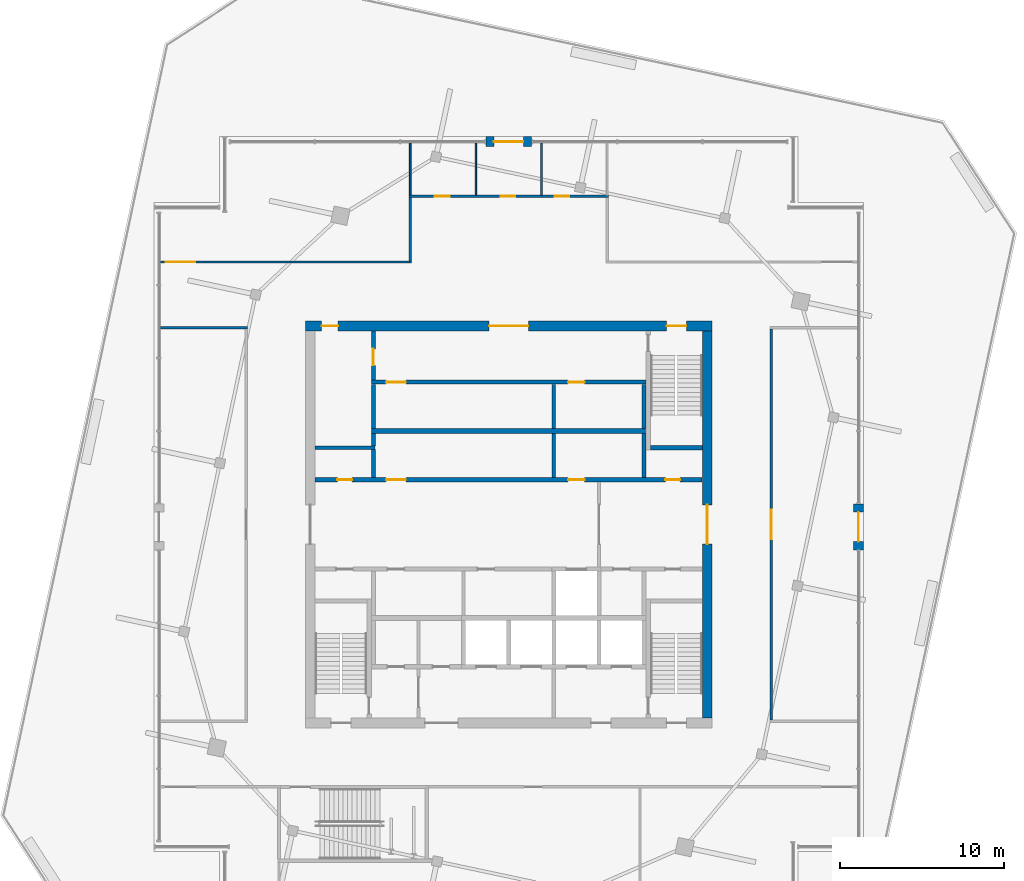
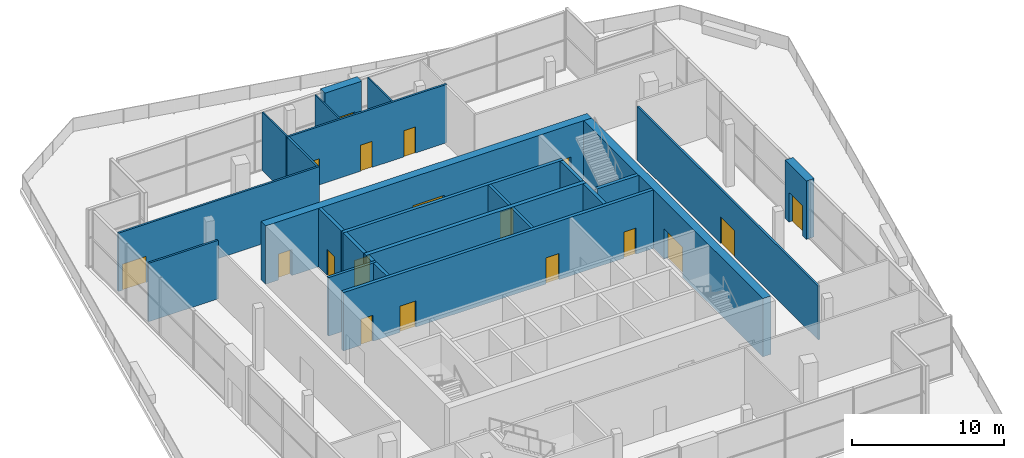
# One storey, part 9 of 14: 25 walls, 18 doors, 18 openings.
"""IFC4 building model written with IfcOpenShell, lengths in metres."""

from ifc_helpers import new_model, si_unit, direction, frame, frame_2d, origin, place, context, subcontext, project, spatial, rectangle, extrude, material, layer, layer_set, type_object, element, fill, save


model = new_model("IFC4")

# Units and contexts
model_context = context("Model", 3, precision=1e-05, world=origin(), true_north=direction((0.0, 1.0)))
body_context = subcontext(model_context, "Body", "Model", "MODEL_VIEW")
ifc_project = project(units=[si_unit("LENGTHUNIT", "METRE"), si_unit("AREAUNIT", "SQUARE_METRE"), si_unit("VOLUMEUNIT", "CUBIC_METRE"), si_unit("PLANEANGLEUNIT", "RADIAN"), si_unit("MASSUNIT", "GRAM", prefix="KILO")], contexts=[model_context])

# Site, building, storey
site_placement = place(None, origin())
site = spatial("IfcSite", under=ifc_project, at=site_placement, CompositionType="ELEMENT")
building_placement = place(site_placement, origin())
building = spatial("IfcBuilding", under=site, at=building_placement, Name="Dilmun Exchange Tower", CompositionType="ELEMENT")
storey_placement = place(building_placement, frame((0.0, 0.0, 368.10009765625)))
storey = spatial("IfcBuildingStorey", under=building, at=storey_placement, Name="Crown L86", CompositionType="ELEMENT", Elevation=368.10009765625)

# Walls
ifc_material_1 = material(Name="Concrete C40/50", Category="concrete")
ifc_layer_1 = layer(ifc_material_1, 0.199951171875)
ifc_layer_set_1 = layer_set([ifc_layer_1], Name="Concrete C40/50")
wall_type_1 = type_object("IfcWallType", Name="Core partition wall 200", PredefinedType="PARTITIONING", material=ifc_layer_set_1)
wall_1_placement = place(storey_placement, frame((2.75, 2.85498046875, 0.0), z_axis=(0.0, 0.0, 1.0), x_axis=(0.0, 1.0, 0.0)))
element("IfcWall", 1, at=wall_1_placement, inside=storey, type_object=wall_type_1, Name="Crown L86 core partition wall 15", PredefinedType="PARTITIONING", context=body_context, shape_type="SweptSolid", body=[
    extrude(rectangle(XDim=2.68994140625, YDim=0.199951171875, at=frame_2d((1.344970703125, 0.0))), origin(), (0.0, 0.0, 1.0), 4.699951171875),
])
wall_2_placement = place(storey_placement, frame((-11.794921875, 4.675048828125, 0.0), z_axis=(0.0, 0.0, 1.0), x_axis=(1.0, 0.0, 0.0)))
element("IfcWall", 2, at=wall_2_placement, inside=storey, type_object=wall_type_1, Name="Crown L86 core partition wall 17", PredefinedType="PARTITIONING", context=body_context, shape_type="SweptSolid", body=[
    extrude(rectangle(XDim=3.64501953125, YDim=0.199951171875, at=frame_2d((1.822509765625, 0.0))), origin(), (0.0, 0.0, 1.0), 4.699951171875),
])
wall_3_placement = place(storey_placement, frame((2.75, 5.85498046875, 0.0), z_axis=(0.0, 0.0, 1.0), x_axis=(0.0, 1.0, 0.0)))
element("IfcWall", 3, at=wall_3_placement, inside=storey, type_object=wall_type_1, Name="Crown L86 core partition wall 21", PredefinedType="PARTITIONING", context=body_context, shape_type="SweptSolid", body=[
    extrude(rectangle(XDim=2.68994140625, YDim=0.199951171875, at=frame_2d((1.344970703125, 0.0))), origin(), (0.0, 0.0, 1.0), 4.699951171875),
])

# Wall, openings, doors
ifc_layer_2 = layer(ifc_material_1, 0.25)
ifc_layer_set_2 = layer_set([ifc_layer_2], Name="Concrete C40/50")
wall_type_2 = type_object("IfcWallType", Name="Core partition wall 250", PredefinedType="PARTITIONING", material=ifc_layer_set_2)
wall_4_placement = place(storey_placement, frame((-11.794921875, 2.72509765625, 0.0), z_axis=(0.0, 0.0, 1.0), x_axis=(1.0, 0.0, 0.0)))
wall_4 = element("IfcWall", 4, at=wall_4_placement, inside=storey, type_object=wall_type_2, Name="Crown L86 core partition wall 13", PredefinedType="PARTITIONING", context=body_context, shape_type="SweptSolid", body=[
    extrude(rectangle(XDim=23.58984375, YDim=0.25, at=frame_2d((11.794921875, 0.0))), origin(), (0.0, 0.0, 1.0), 4.699951171875),
])
opening_1_placement = place(wall_4_placement, frame((21.344970703125, 0.0, 0.0)))
opening_1 = element("IfcOpeningElement", 5, at=opening_1_placement, cuts=wall_4, Name="Opening CD6", PredefinedType="OPENING", context=body_context, shape_type="SweptSolid", body=[
    extrude(rectangle(XDim=0.89990234375, YDim=2.10009765625, at=frame_2d((0.449951171875, 1.050048828125))), frame((0.0, 0.135009765625, 0.0), z_axis=(0.0, -1.0, 0.0), x_axis=(1.0, 0.0, 0.0)), (0.0, 0.0, 1.0), 0.27001953125),
])
opening_2_placement = place(wall_4_placement, frame((1.344970703125, 0.0, 0.0)))
opening_2 = element("IfcOpeningElement", 6, at=opening_2_placement, cuts=wall_4, Name="Opening CD6", PredefinedType="OPENING", context=body_context, shape_type="SweptSolid", body=[
    extrude(rectangle(XDim=0.89990234375, YDim=2.10009765625, at=frame_2d((0.449951171875, 1.050048828125))), frame((0.0, 0.135009765625, 0.0), z_axis=(0.0, -1.0, 0.0), x_axis=(1.0, 0.0, 0.0)), (0.0, 0.0, 1.0), 0.27001953125),
])
opening_3_placement = place(wall_4_placement, frame((4.320068359375, 0.0, 0.0)))
opening_3 = element("IfcOpeningElement", 7, at=opening_3_placement, cuts=wall_4, Name="Opening CD3", PredefinedType="OPENING", context=body_context, shape_type="SweptSolid", body=[
    extrude(rectangle(XDim=1.199951171875, YDim=2.10009765625, at=frame_2d((0.60009765625, 1.050048828125))), frame((0.0, 0.135009765625, 0.0), z_axis=(0.0, -1.0, 0.0), x_axis=(1.0, 0.0, 0.0)), (0.0, 0.0, 1.0), 0.27001953125),
])
opening_4_placement = place(wall_4_placement, frame((15.419921875, 0.0, 0.0)))
opening_4 = element("IfcOpeningElement", 8, at=opening_4_placement, cuts=wall_4, Name="Opening CD4", PredefinedType="OPENING", context=body_context, shape_type="SweptSolid", body=[
    extrude(rectangle(XDim=1.0, YDim=2.10009765625, at=frame_2d((0.5, 1.050048828125))), frame((0.0, 0.135009765625, 0.0), z_axis=(0.0, -1.0, 0.0), x_axis=(1.0, 0.0, 0.0)), (0.0, 0.0, 1.0), 0.27001953125),
])
ifc_material_2 = material(Name="Fire-rated steel door set", Category="steel")
door_type_1 = type_object("IfcDoorType", Name="Core room door 1000x2100", OperationType="SINGLE_SWING_LEFT", PredefinedType="DOOR", material=ifc_material_2)
door_1_placement = place(opening_4_placement, origin())
door_1 = element("IfcDoor", 9, at=door_1_placement, inside=storey, type_object=door_type_1, Name="Crown L86 door Print and mail room", OperationType="SINGLE_SWING_LEFT", OverallHeight=2.10009765625, OverallWidth=1.0, PredefinedType="DOOR", context=body_context, shape_type="SweptSolid", body=[
    extrude(rectangle(XDim=1.0, YDim=2.10009765625, at=frame_2d((0.5, 1.050048828125))), frame((0.0, 0.02490234375, 0.0), z_axis=(0.0, -1.0, 0.0), x_axis=(1.0, 0.0, 0.0)), (0.0, 0.0, 1.0), 0.050048828125),
])
fill(opening_4, door_1)
door_type_2 = type_object("IfcDoorType", Name="Core room door 900x2100", OperationType="SINGLE_SWING_LEFT", PredefinedType="DOOR", material=ifc_material_2)
door_2_placement = place(opening_1_placement, origin())
door_2 = element("IfcDoor", 10, at=door_2_placement, inside=storey, type_object=door_type_2, Name="Crown L86 door Electrical riser", OperationType="SINGLE_SWING_LEFT", OverallHeight=2.10009765625, OverallWidth=0.89990234375, PredefinedType="DOOR", context=body_context, shape_type="SweptSolid", body=[
    extrude(rectangle(XDim=0.89990234375, YDim=2.10009765625, at=frame_2d((0.449951171875, 1.050048828125))), frame((0.0, 0.02490234375, 0.0), z_axis=(0.0, -1.0, 0.0), x_axis=(1.0, 0.0, 0.0)), (0.0, 0.0, 1.0), 0.050048828125),
])
fill(opening_1, door_2)
door_3_placement = place(opening_2_placement, origin())
door_3 = element("IfcDoor", 11, at=door_3_placement, inside=storey, type_object=door_type_2, Name="Crown L86 door Plumbing riser", OperationType="SINGLE_SWING_LEFT", OverallHeight=2.10009765625, OverallWidth=0.89990234375, PredefinedType="DOOR", context=body_context, shape_type="SweptSolid", body=[
    extrude(rectangle(XDim=0.89990234375, YDim=2.10009765625, at=frame_2d((0.449951171875, 1.050048828125))), frame((0.0, 0.02490234375, 0.0), z_axis=(0.0, -1.0, 0.0), x_axis=(1.0, 0.0, 0.0)), (0.0, 0.0, 1.0), 0.050048828125),
])
fill(opening_2, door_3)
door_type_3 = type_object("IfcDoorType", Name="Stair exit door 1200x2100", OperationType="SINGLE_SWING_LEFT", PredefinedType="DOOR", material=ifc_material_2)
door_4_placement = place(opening_3_placement, origin())
door_4 = element("IfcDoor", 12, at=door_4_placement, inside=storey, type_object=door_type_3, Name="Crown L86 door Facilities workshop", OperationType="SINGLE_SWING_LEFT", OverallHeight=2.10009765625, OverallWidth=1.199951171875, PredefinedType="DOOR", context=body_context, shape_type="SweptSolid", body=[
    extrude(rectangle(XDim=1.199951171875, YDim=2.10009765625, at=frame_2d((0.60009765625, 1.050048828125))), frame((0.0, 0.02490234375, 0.0), z_axis=(0.0, -1.0, 0.0), x_axis=(1.0, 0.0, 0.0)), (0.0, 0.0, 1.0), 0.050048828125),
])
fill(opening_3, door_4)

# Walls
wall_5_placement = place(storey_placement, frame((-8.25, 2.85498046875, 0.0), z_axis=(0.0, 0.0, 1.0), x_axis=(0.0, 1.0, 0.0)))
element("IfcWall", 13, at=wall_5_placement, inside=storey, type_object=wall_type_2, Name="Crown L86 core partition wall 14", PredefinedType="PARTITIONING", context=body_context, shape_type="SweptSolid", body=[
    extrude(rectangle(XDim=1.715087890625, YDim=0.25, at=frame_2d((0.857421875, 0.0))), origin(), (0.0, 0.0, 1.0), 4.699951171875),
])
wall_6_placement = place(storey_placement, frame((8.25, 2.85498046875, 0.0), z_axis=(0.0, 0.0, 1.0), x_axis=(0.0, 1.0, 0.0)))
element("IfcWall", 14, at=wall_6_placement, inside=storey, type_object=wall_type_2, Name="Crown L86 core partition wall 16", PredefinedType="PARTITIONING", context=body_context, shape_type="SweptSolid", body=[
    extrude(rectangle(XDim=2.68994140625, YDim=0.25, at=frame_2d((1.344970703125, 0.0))), origin(), (0.0, 0.0, 1.0), 4.699951171875),
])
wall_7_placement = place(storey_placement, frame((-8.25, 4.780029296875, 0.0), z_axis=(0.0, 0.0, 1.0), x_axis=(0.0, 1.0, 0.0)))
element("IfcWall", 15, at=wall_7_placement, inside=storey, type_object=wall_type_2, Name="Crown L86 core partition wall 18", PredefinedType="PARTITIONING", context=body_context, shape_type="SweptSolid", body=[
    extrude(rectangle(XDim=0.764892578125, YDim=0.25, at=frame_2d((0.38232421875, 0.0))), origin(), (0.0, 0.0, 1.0), 4.699951171875),
])
for number, where, z_axis, x_axis, name in (
    (16, (-8.25, 5.85498046875, 0.0), (0.0, 0.0, 1.0), (0.0, 1.0, 0.0), "Crown L86 core partition wall 20"),
    (17, (8.25, 5.85498046875, 0.0), (0.0, 0.0, 1.0), (0.0, 1.0, 0.0), "Crown L86 core partition wall 22"),
):
    element("IfcWall", number, at=place(storey_placement, frame(where, z_axis=z_axis, x_axis=x_axis)), inside=storey, type_object=wall_type_2, Name=name, PredefinedType="PARTITIONING", context=body_context, shape_type="SweptSolid", body=[
        extrude(rectangle(XDim=2.68994140625, YDim=0.25, at=frame_2d((1.344970703125, 0.0))), origin(), (0.0, 0.0, 1.0), 4.699951171875),
    ])

# Wall, openings, doors
wall_8_placement = place(storey_placement, frame((-8.35009765625, 8.675048828125, 0.0), z_axis=(0.0, 0.0, 1.0), x_axis=(1.0, 0.0, 0.0)))
wall_8 = element("IfcWall", 18, at=wall_8_placement, inside=storey, type_object=wall_type_2, Name="Crown L86 core partition wall 23", PredefinedType="PARTITIONING", context=body_context, shape_type="SweptSolid", body=[
    extrude(rectangle(XDim=16.72021484375, YDim=0.25, at=frame_2d((8.360107421875, 0.0))), origin(), (0.0, 0.0, 1.0), 4.699951171875),
])
opening_5_placement = place(wall_8_placement, frame((0.875, 0.0, 0.0)))
opening_5 = element("IfcOpeningElement", 19, at=opening_5_placement, cuts=wall_8, Name="Opening CD3", PredefinedType="OPENING", context=body_context, shape_type="SweptSolid", body=[
    extrude(rectangle(XDim=1.199951171875, YDim=2.10009765625, at=frame_2d((0.60009765625, 1.050048828125))), frame((0.0, 0.135009765625, 0.0), z_axis=(0.0, -1.0, 0.0), x_axis=(1.0, 0.0, 0.0)), (0.0, 0.0, 1.0), 0.27001953125),
])
opening_6_placement = place(wall_8_placement, frame((11.97509765625, 0.0, 0.0)))
opening_6 = element("IfcOpeningElement", 20, at=opening_6_placement, cuts=wall_8, Name="Opening CD4", PredefinedType="OPENING", context=body_context, shape_type="SweptSolid", body=[
    extrude(rectangle(XDim=1.0, YDim=2.10009765625, at=frame_2d((0.5, 1.050048828125))), frame((0.0, 0.135009765625, 0.0), z_axis=(0.0, -1.0, 0.0), x_axis=(1.0, 0.0, 0.0)), (0.0, 0.0, 1.0), 0.27001953125),
])
door_5_placement = place(opening_6_placement, origin())
door_5 = element("IfcDoor", 21, at=door_5_placement, inside=storey, type_object=door_type_1, Name="Crown L86 door Mechanical room", OperationType="SINGLE_SWING_LEFT", OverallHeight=2.10009765625, OverallWidth=1.0, PredefinedType="DOOR", context=body_context, shape_type="SweptSolid", body=[
    extrude(rectangle(XDim=1.0, YDim=2.10009765625, at=frame_2d((0.5, 1.050048828125))), frame((0.0, 0.02490234375, 0.0), z_axis=(0.0, -1.0, 0.0), x_axis=(1.0, 0.0, 0.0)), (0.0, 0.0, 1.0), 0.050048828125),
])
fill(opening_6, door_5)
door_6_placement = place(opening_5_placement, origin())
door_6 = element("IfcDoor", 22, at=door_6_placement, inside=storey, type_object=door_type_3, Name="Crown L86 door Quiet working room", OperationType="SINGLE_SWING_LEFT", OverallHeight=2.10009765625, OverallWidth=1.199951171875, PredefinedType="DOOR", context=body_context, shape_type="SweptSolid", body=[
    extrude(rectangle(XDim=1.199951171875, YDim=2.10009765625, at=frame_2d((0.60009765625, 1.050048828125))), frame((0.0, 0.02490234375, 0.0), z_axis=(0.0, -1.0, 0.0), x_axis=(1.0, 0.0, 0.0)), (0.0, 0.0, 1.0), 0.050048828125),
])
fill(opening_5, door_6)

# Wall, opening, door
wall_9_placement = place(storey_placement, frame((-8.25, 8.804931640625, 0.0), z_axis=(0.0, 0.0, 1.0), x_axis=(0.0, 1.0, 0.0)))
wall_9 = element("IfcWall", 23, at=wall_9_placement, inside=storey, type_object=wall_type_2, Name="Crown L86 core partition wall 24", PredefinedType="PARTITIONING", context=body_context, shape_type="SweptSolid", body=[
    extrude(rectangle(XDim=2.989990234375, YDim=0.25, at=frame_2d((1.4951171875, 0.0))), origin(), (0.0, 0.0, 1.0), 4.699951171875),
])
opening_7_placement = place(wall_9_placement, frame((0.89501953125, 0.0, 0.0)))
opening_7 = element("IfcOpeningElement", 24, at=opening_7_placement, cuts=wall_9, Name="Opening CD4", PredefinedType="OPENING", context=body_context, shape_type="SweptSolid", body=[
    extrude(rectangle(XDim=1.0, YDim=2.10009765625, at=frame_2d((0.5, 1.050048828125))), frame((0.0, 0.135009765625, 0.0), z_axis=(0.0, -1.0, 0.0), x_axis=(1.0, 0.0, 0.0)), (0.0, 0.0, 1.0), 0.27001953125),
])
door_7_placement = place(opening_7_placement, origin())
door_7 = element("IfcDoor", 25, at=door_7_placement, inside=storey, type_object=door_type_1, Name="Crown L86 door Facilities office", OperationType="SINGLE_SWING_LEFT", OverallHeight=2.10009765625, OverallWidth=1.0, PredefinedType="DOOR", context=body_context, shape_type="SweptSolid", body=[
    extrude(rectangle(XDim=1.0, YDim=2.10009765625, at=frame_2d((0.5, 1.050048828125))), frame((0.0, 0.02490234375, 0.0), z_axis=(0.0, -1.0, 0.0), x_axis=(1.0, 0.0, 0.0)), (0.0, 0.0, 1.0), 0.050048828125),
])
fill(opening_7, door_7)

# Wall
ifc_layer_3 = layer(ifc_material_1, 0.300048828125)
ifc_layer_set_3 = layer_set([ifc_layer_3], Name="Concrete C40/50")
wall_type_3 = type_object("IfcWallType", Name="Core partition wall 300", PredefinedType="PARTITIONING", material=ifc_layer_set_3)
wall_10_placement = place(storey_placement, frame((-8.35009765625, 5.699951171875, 0.0), z_axis=(0.0, 0.0, 1.0), x_axis=(1.0, 0.0, 0.0)))
element("IfcWall", 26, at=wall_10_placement, inside=storey, type_object=wall_type_3, Name="Crown L86 core partition wall 19", PredefinedType="PARTITIONING", context=body_context, shape_type="SweptSolid", body=[
    extrude(rectangle(XDim=16.7001953125, YDim=0.300048828125, at=frame_2d((8.35009765625, 0.0))), origin(), (0.0, 0.0, 1.0), 4.699951171875),
])

# Wall, openings, doors
ifc_material_3 = material(Name="Concrete C50/60", Category="concrete")
ifc_layer_4 = layer(ifc_material_3, 0.60009765625)
ifc_layer_set_4 = layer_set([ifc_layer_4], Name="Concrete C50/60")
wall_type_4 = type_object("IfcWallType", Name="Core shear wall 600 Concrete C50/60", PredefinedType="SHEAR", material=ifc_layer_set_4)
wall_11_placement = place(storey_placement, frame((-12.39990234375, 12.10009765625, 0.0), z_axis=(0.0, 0.0, 1.0), x_axis=(1.0, 0.0, 0.0)))
wall_11 = element("IfcWall", 27, at=wall_11_placement, inside=storey, type_object=wall_type_4, Name="Crown L86 core shear wall N", PredefinedType="SHEAR", context=body_context, shape_type="SweptSolid", body=[
    extrude(rectangle(XDim=24.7998046875, YDim=0.60009765625, at=frame_2d((12.39990234375, 0.0))), origin(), (0.0, 0.0, 1.0), 4.699951171875),
])
opening_8_placement = place(wall_11_placement, frame((11.199951171875, 0.0, 0.0)))
opening_8 = element("IfcOpeningElement", 28, at=opening_8_placement, cuts=wall_11, Name="Opening CD1", PredefinedType="OPENING", context=body_context, shape_type="SweptSolid", body=[
    extrude(rectangle(XDim=2.39990234375, YDim=2.39990234375, at=frame_2d((1.199951171875, 1.199951171875))), frame((0.0, 0.31005859375, 0.0), z_axis=(0.0, -1.0, 0.0), x_axis=(1.0, 0.0, 0.0)), (0.0, 0.0, 1.0), 0.6201171875),
])
opening_9_placement = place(wall_11_placement, frame((22.02490234375, 0.0, 0.0)))
opening_9 = element("IfcOpeningElement", 29, at=opening_9_placement, cuts=wall_11, Name="Opening CD3", PredefinedType="OPENING", context=body_context, shape_type="SweptSolid", body=[
    extrude(rectangle(XDim=1.199951171875, YDim=2.10009765625, at=frame_2d((0.60009765625, 1.050048828125))), frame((0.0, 0.31005859375, 0.0), z_axis=(0.0, -1.0, 0.0), x_axis=(1.0, 0.0, 0.0)), (0.0, 0.0, 1.0), 0.6201171875),
])
opening_10_placement = place(wall_11_placement, frame((1.0, 0.0, 0.0)))
opening_10 = element("IfcOpeningElement", 30, at=opening_10_placement, cuts=wall_11, Name="Opening CD4", PredefinedType="OPENING", context=body_context, shape_type="SweptSolid", body=[
    extrude(rectangle(XDim=1.0, YDim=2.10009765625, at=frame_2d((0.5, 1.050048828125))), frame((0.0, 0.31005859375, 0.0), z_axis=(0.0, -1.0, 0.0), x_axis=(1.0, 0.0, 0.0)), (0.0, 0.0, 1.0), 0.6201171875),
])
door_type_4 = type_object("IfcDoorType", Name="Core lobby door 2400x2400", OperationType="DOUBLE_DOOR_DOUBLE_SWING", PredefinedType="DOOR", material=ifc_material_2)
door_8_placement = place(opening_8_placement, origin())
door_8 = element("IfcDoor", 31, at=door_8_placement, inside=storey, type_object=door_type_4, Name="Crown L86 door North lift lobby", OperationType="SINGLE_SWING_LEFT", OverallHeight=2.39990234375, OverallWidth=2.39990234375, PredefinedType="DOOR", context=body_context, shape_type="SweptSolid", body=[
    extrude(rectangle(XDim=2.39990234375, YDim=2.39990234375, at=frame_2d((1.199951171875, 1.199951171875))), frame((0.0, 0.02490234375, 0.0), z_axis=(0.0, -1.0, 0.0), x_axis=(1.0, 0.0, 0.0)), (0.0, 0.0, 1.0), 0.050048828125),
])
fill(opening_8, door_8)
door_9_placement = place(opening_10_placement, origin())
door_9 = element("IfcDoor", 32, at=door_9_placement, inside=storey, type_object=door_type_1, Name="Crown L86 door North-west core rooms", OperationType="SINGLE_SWING_LEFT", OverallHeight=2.10009765625, OverallWidth=1.0, PredefinedType="DOOR", context=body_context, shape_type="SweptSolid", body=[
    extrude(rectangle(XDim=1.0, YDim=2.10009765625, at=frame_2d((0.5, 1.050048828125))), frame((0.0, 0.02490234375, 0.0), z_axis=(0.0, -1.0, 0.0), x_axis=(1.0, 0.0, 0.0)), (0.0, 0.0, 1.0), 0.050048828125),
])
fill(opening_10, door_9)
door_10_placement = place(opening_9_placement, origin())
door_10 = element("IfcDoor", 33, at=door_10_placement, inside=storey, type_object=door_type_3, Name="Crown L86 door Stair ST1", OperationType="SINGLE_SWING_LEFT", OverallHeight=2.10009765625, OverallWidth=1.199951171875, PredefinedType="DOOR", context=body_context, shape_type="SweptSolid", body=[
    extrude(rectangle(XDim=1.199951171875, YDim=2.10009765625, at=frame_2d((0.60009765625, 1.050048828125))), frame((0.0, 0.02490234375, 0.0), z_axis=(0.0, -1.0, 0.0), x_axis=(1.0, 0.0, 0.0)), (0.0, 0.0, 1.0), 0.050048828125),
])
fill(opening_9, door_10)

# Wall, opening, door
wall_12_placement = place(storey_placement, frame((12.10009765625, -11.800048828125, 0.0), z_axis=(0.0, 0.0, 1.0), x_axis=(0.0, 1.0, 0.0)))
wall_12 = element("IfcWall", 34, at=wall_12_placement, inside=storey, type_object=wall_type_4, Name="Crown L86 core shear wall E", PredefinedType="SHEAR", context=body_context, shape_type="SweptSolid", body=[
    extrude(rectangle(XDim=23.60009765625, YDim=0.60009765625, at=frame_2d((11.800048828125, 0.0))), origin(), (0.0, 0.0, 1.0), 4.699951171875),
])
opening_11_placement = place(wall_12_placement, frame((10.60009765625, 0.0, 0.0)))
opening_11 = element("IfcOpeningElement", 35, at=opening_11_placement, cuts=wall_12, Name="Opening CD1", PredefinedType="OPENING", context=body_context, shape_type="SweptSolid", body=[
    extrude(rectangle(XDim=2.39990234375, YDim=2.39990234375, at=frame_2d((1.199951171875, 1.199951171875))), frame((0.0, 0.31005859375, 0.0), z_axis=(0.0, -1.0, 0.0), x_axis=(1.0, 0.0, 0.0)), (0.0, 0.0, 1.0), 0.6201171875),
])
door_11_placement = place(opening_11_placement, origin())
door_11 = element("IfcDoor", 36, at=door_11_placement, inside=storey, type_object=door_type_4, Name="Crown L86 door Central lift lobby", OperationType="SINGLE_SWING_LEFT", OverallHeight=2.39990234375, OverallWidth=2.39990234375, PredefinedType="DOOR", context=body_context, shape_type="SweptSolid", body=[
    extrude(rectangle(XDim=2.39990234375, YDim=2.39990234375, at=frame_2d((1.199951171875, 1.199951171875))), frame((0.0, 0.02490234375, 0.0), z_axis=(0.0, -1.0, 0.0), x_axis=(1.0, 0.0, 0.0)), (0.0, 0.0, 1.0), 0.050048828125),
])
fill(opening_11, door_11)

# Wall
ifc_material_4 = material(Name="Fire partition EI 60 150 gypsum")
ifc_layer_5 = layer(ifc_material_4, 0.14990234375)
ifc_layer_set_5 = layer_set([ifc_layer_5], Name="Fire partition EI 60 150 gypsum")
wall_type_5 = type_object("IfcWallType", Name="Fire partition EI 60 150 gypsum", PredefinedType="PARTITIONING", material=ifc_layer_set_5)
wall_13_placement = place(storey_placement, frame((-21.223388671875, 12.0, 0.0), z_axis=(0.0, 0.0, 1.0), x_axis=(1.0, 0.0, 0.0)))
element("IfcWall", 37, at=wall_13_placement, inside=storey, type_object=wall_type_5, Name="Crown L86 partition", PredefinedType="PARTITIONING", context=body_context, shape_type="SweptSolid", body=[
    extrude(rectangle(XDim=5.29833984375, YDim=0.14990234375, at=frame_2d((2.649169921875, 0.0))), origin(), (0.0, 0.0, 1.0), 4.699951171875),
])

# Wall, opening, door
wall_14_placement = place(storey_placement, frame((-21.223388671875, 16.0, 0.0), z_axis=(0.0, 0.0, 1.0), x_axis=(1.0, 0.0, 0.0)))
wall_14 = element("IfcWall", 38, at=wall_14_placement, inside=storey, type_object=wall_type_5, Name="Crown L86 partition", PredefinedType="PARTITIONING", context=body_context, shape_type="SweptSolid", body=[
    extrude(rectangle(XDim=15.29833984375, YDim=0.14990234375, at=frame_2d((7.649169921875, 0.0))), origin(), (0.0, 0.0, 1.0), 4.699951171875),
])
opening_12_placement = place(wall_14_placement, frame((0.323486328125, 0.0, 0.0)))
opening_12 = element("IfcOpeningElement", 39, at=opening_12_placement, cuts=wall_14, Name="Opening CrownL86-D005", PredefinedType="OPENING", context=body_context, shape_type="SweptSolid", body=[
    extrude(rectangle(XDim=1.800048828125, YDim=2.10009765625, at=frame_2d((0.89990234375, 1.050048828125))), frame((0.0, 0.0849609375, 0.0), z_axis=(0.0, -1.0, 0.0), x_axis=(1.0, 0.0, 0.0)), (0.0, 0.0, 1.0), 0.169921875),
])
ifc_material_5 = material(Name="Fire door FD60 double 1800 x 2100")
door_type_5 = type_object("IfcDoorType", Name="Fire door FD60 double 1800 x 2100", OperationType="DOUBLE_DOOR_SINGLE_SWING", PredefinedType="DOOR", material=ifc_material_5)
door_12_placement = place(opening_12_placement, origin())
door_12 = element("IfcDoor", 40, at=door_12_placement, inside=storey, type_object=door_type_5, Name="Crown L86 door CrownL86-D005", OperationType="DOUBLE_DOOR_SINGLE_SWING", OverallHeight=2.10009765625, OverallWidth=1.800048828125, PredefinedType="DOOR", context=body_context, shape_type="SweptSolid", body=[
    extrude(rectangle(XDim=1.800048828125, YDim=2.10009765625, at=frame_2d((0.89990234375, 1.050048828125))), frame((0.0, 0.02490234375, 0.0), z_axis=(0.0, -1.0, 0.0), x_axis=(1.0, 0.0, 0.0)), (0.0, 0.0, 1.0), 0.050048828125),
])
fill(opening_12, door_12)

# Wall, openings, doors
wall_15_placement = place(storey_placement, frame((-6.074951171875, 20.0, 0.0), z_axis=(0.0, 0.0, 1.0), x_axis=(1.0, 0.0, 0.0)))
wall_15 = element("IfcWall", 41, at=wall_15_placement, inside=storey, type_object=wall_type_5, Name="Crown L86 partition", PredefinedType="PARTITIONING", context=body_context, shape_type="SweptSolid", body=[
    extrude(rectangle(XDim=12.14990234375, YDim=0.14990234375, at=frame_2d((6.074951171875, 0.0))), origin(), (0.0, 0.0, 1.0), 4.699951171875),
])
opening_13_placement = place(wall_15_placement, frame((1.574951171875, 0.0, 0.0)))
opening_13 = element("IfcOpeningElement", 42, at=opening_13_placement, cuts=wall_15, Name="Opening CrownL86-D002", PredefinedType="OPENING", context=body_context, shape_type="SweptSolid", body=[
    extrude(rectangle(XDim=0.89990234375, YDim=2.10009765625, at=frame_2d((0.449951171875, 1.050048828125))), frame((0.0, 0.0849609375, 0.0), z_axis=(0.0, -1.0, 0.0), x_axis=(1.0, 0.0, 0.0)), (0.0, 0.0, 1.0), 0.169921875),
])
opening_14_placement = place(wall_15_placement, frame((5.574951171875, 0.0, 0.0)))
opening_14 = element("IfcOpeningElement", 43, at=opening_14_placement, cuts=wall_15, Name="Opening CrownL86-D003", PredefinedType="OPENING", context=body_context, shape_type="SweptSolid", body=[
    extrude(rectangle(XDim=0.89990234375, YDim=2.10009765625, at=frame_2d((0.449951171875, 1.050048828125))), frame((0.0, 0.0849609375, 0.0), z_axis=(0.0, -1.0, 0.0), x_axis=(1.0, 0.0, 0.0)), (0.0, 0.0, 1.0), 0.169921875),
])
opening_15_placement = place(wall_15_placement, frame((8.875, 0.0, 0.0)))
opening_15 = element("IfcOpeningElement", 44, at=opening_15_placement, cuts=wall_15, Name="Opening CrownL86-D004", PredefinedType="OPENING", context=body_context, shape_type="SweptSolid", body=[
    extrude(rectangle(XDim=0.89990234375, YDim=2.10009765625, at=frame_2d((0.449951171875, 1.050048828125))), frame((0.0, 0.0849609375, 0.0), z_axis=(0.0, -1.0, 0.0), x_axis=(1.0, 0.0, 0.0)), (0.0, 0.0, 1.0), 0.169921875),
])
ifc_material_6 = material(Name="Door 900 x 2100")
door_type_6 = type_object("IfcDoorType", Name="Door 900 x 2100", OperationType="SINGLE_SWING_LEFT", PredefinedType="DOOR", material=ifc_material_6)
door_13_placement = place(opening_13_placement, origin())
door_13 = element("IfcDoor", 45, at=door_13_placement, inside=storey, type_object=door_type_6, Name="Crown L86 door CrownL86-D002", OperationType="SINGLE_SWING_RIGHT", OverallHeight=2.10009765625, OverallWidth=0.89990234375, PredefinedType="DOOR", context=body_context, shape_type="SweptSolid", body=[
    extrude(rectangle(XDim=0.89990234375, YDim=2.10009765625, at=frame_2d((0.449951171875, 1.050048828125))), frame((0.0, 0.02490234375, 0.0), z_axis=(0.0, -1.0, 0.0), x_axis=(1.0, 0.0, 0.0)), (0.0, 0.0, 1.0), 0.050048828125),
])
fill(opening_13, door_13)
door_14_placement = place(opening_14_placement, origin())
door_14 = element("IfcDoor", 46, at=door_14_placement, inside=storey, type_object=door_type_6, Name="Crown L86 door CrownL86-D003", OperationType="SINGLE_SWING_LEFT", OverallHeight=2.10009765625, OverallWidth=0.89990234375, PredefinedType="DOOR", context=body_context, shape_type="SweptSolid", body=[
    extrude(rectangle(XDim=0.89990234375, YDim=2.10009765625, at=frame_2d((0.449951171875, 1.050048828125))), frame((0.0, 0.02490234375, 0.0), z_axis=(0.0, -1.0, 0.0), x_axis=(1.0, 0.0, 0.0)), (0.0, 0.0, 1.0), 0.050048828125),
])
fill(opening_14, door_14)
door_15_placement = place(opening_15_placement, origin())
door_15 = element("IfcDoor", 47, at=door_15_placement, inside=storey, type_object=door_type_6, Name="Crown L86 door CrownL86-D004", OperationType="SINGLE_SWING_RIGHT", OverallHeight=2.10009765625, OverallWidth=0.89990234375, PredefinedType="DOOR", context=body_context, shape_type="SweptSolid", body=[
    extrude(rectangle(XDim=0.89990234375, YDim=2.10009765625, at=frame_2d((0.449951171875, 1.050048828125))), frame((0.0, 0.02490234375, 0.0), z_axis=(0.0, -1.0, 0.0), x_axis=(1.0, 0.0, 0.0)), (0.0, 0.0, 1.0), 0.050048828125),
])
fill(opening_15, door_15)

# Wall
wall_16_placement = place(storey_placement, frame((-6.0, 16.074951171875, 0.0), z_axis=(0.0, 0.0, 1.0), x_axis=(0.0, 1.0, 0.0)))
element("IfcWall", 48, at=wall_16_placement, inside=storey, type_object=wall_type_5, Name="Crown L86 partition", PredefinedType="PARTITIONING", context=body_context, shape_type="SweptSolid", body=[
    extrude(rectangle(XDim=3.85009765625, YDim=0.14990234375, at=frame_2d((1.925048828125, 0.0))), origin(), (0.0, 0.0, 1.0), 4.699951171875),
])

# Wall, opening, door
wall_17_placement = place(storey_placement, frame((16.0, -11.925048828125, 0.0), z_axis=(0.0, 0.0, 1.0), x_axis=(0.0, 1.0, 0.0)))
wall_17 = element("IfcWall", 49, at=wall_17_placement, inside=storey, type_object=wall_type_5, Name="Crown L86 partition", PredefinedType="PARTITIONING", context=body_context, shape_type="SweptSolid", body=[
    extrude(rectangle(XDim=23.85009765625, YDim=0.14990234375, at=frame_2d((11.925048828125, 0.0))), origin(), (0.0, 0.0, 1.0), 4.31982421875),
])
opening_16_placement = place(wall_17_placement, frame((11.02490234375, 0.0, 0.0)))
opening_16 = element("IfcOpeningElement", 50, at=opening_16_placement, cuts=wall_17, Name="Opening CrownL86-D011", PredefinedType="OPENING", context=body_context, shape_type="SweptSolid", body=[
    extrude(rectangle(XDim=1.800048828125, YDim=2.10009765625, at=frame_2d((0.89990234375, 1.050048828125))), frame((0.0, 0.0849609375, 0.0), z_axis=(0.0, -1.0, 0.0), x_axis=(1.0, 0.0, 0.0)), (0.0, 0.0, 1.0), 0.169921875),
])
door_16_placement = place(opening_16_placement, origin())
door_16 = element("IfcDoor", 51, at=door_16_placement, inside=storey, type_object=door_type_5, Name="Crown L86 door CrownL86-D011", OperationType="DOUBLE_DOOR_SINGLE_SWING", OverallHeight=2.10009765625, OverallWidth=1.800048828125, PredefinedType="DOOR", context=body_context, shape_type="SweptSolid", body=[
    extrude(rectangle(XDim=1.800048828125, YDim=2.10009765625, at=frame_2d((0.89990234375, 1.050048828125))), frame((0.0, 0.02490234375, 0.0), z_axis=(0.0, -1.0, 0.0), x_axis=(1.0, 0.0, 0.0)), (0.0, 0.0, 1.0), 0.050048828125),
])
fill(opening_16, door_16)

# Walls
ifc_material_7 = material(Name="Partition 100 gypsum")
ifc_layer_6 = layer(ifc_material_7, 0.10009765625)
ifc_layer_set_6 = layer_set([ifc_layer_6], Name="Partition 100 gypsum")
wall_type_6 = type_object("IfcWallType", Name="Partition 100 gypsum", PredefinedType="PARTITIONING", material=ifc_layer_set_6)
for number, where, z_axis, x_axis, name in (
    (52, (-6.0, 20.074951171875, 0.0), (0.0, 0.0, 1.0), (0.0, 1.0, 0.0), "Crown L86 partition"),
    (53, (-2.0, 20.074951171875, 0.0), (0.0, 0.0, 1.0), (0.0, 1.0, 0.0), "Crown L86 partition"),
    (54, (2.0, 20.074951171875, 0.0), (0.0, 0.0, 1.0), (0.0, 1.0, 0.0), "Crown L86 partition"),
):
    element("IfcWall", number, at=place(storey_placement, frame(where, z_axis=z_axis, x_axis=x_axis)), inside=storey, type_object=wall_type_6, Name=name, PredefinedType="PARTITIONING", context=body_context, shape_type="SweptSolid", body=[
        extrude(rectangle(XDim=3.165283203125, YDim=0.10009765625, at=frame_2d((1.58251953125, 0.0))), origin(), (0.0, 0.0, 1.0), 4.699951171875),
    ])

# Wall, opening, door
ifc_material_8 = material(Name="Precast concrete C50/60", Category="concrete")
ifc_layer_7 = layer(ifc_material_8, 0.60009765625)
ifc_layer_set_7 = layer_set([ifc_layer_7], Name="Precast concrete C50/60")
wall_type_7 = type_object("IfcWallType", Name="Precast stone-clad wall 600", PredefinedType="STANDARD", material=ifc_layer_set_7)
wall_18_placement = place(storey_placement, frame((-1.39990234375, 23.340087890625, 0.0), z_axis=(0.0, 0.0, 1.0), x_axis=(1.0, 0.0, 0.0)))
wall_18 = element("IfcWall", 55, at=wall_18_placement, inside=storey, type_object=wall_type_7, Name="Facade wall Crown L86-02-D0", PredefinedType="STANDARD", context=body_context, shape_type="SweptSolid", body=[
    extrude(rectangle(XDim=2.7998046875, YDim=0.60009765625, at=frame_2d((1.39990234375, 0.0))), origin(), (0.0, 0.0, 1.0), 4.699951171875),
])
opening_17_placement = place(wall_18_placement, frame((0.5, 0.0, 0.0)))
opening_17 = element("IfcOpeningElement", 56, at=opening_17_placement, cuts=wall_18, Name="Opening DD1", PredefinedType="OPENING", context=body_context, shape_type="SweptSolid", body=[
    extrude(rectangle(XDim=1.800048828125, YDim=2.39990234375, at=frame_2d((0.89990234375, 1.199951171875))), frame((0.0, 0.31005859375, 0.0), z_axis=(0.0, -1.0, 0.0), x_axis=(1.0, 0.0, 0.0)), (0.0, 0.0, 1.0), 0.6201171875),
])
ifc_material_9 = material(Name="Clear low-emissivity glass in aluminium frame", Category="aluminium")
door_type_7 = type_object("IfcDoorType", Name="Glazed deck door pair 1800 x 2400", OperationType="DOUBLE_DOOR_SINGLE_SWING", PredefinedType="DOOR", material=ifc_material_9)
door_17_placement = place(opening_17_placement, origin())
door_17 = element("IfcDoor", 57, at=door_17_placement, inside=storey, type_object=door_type_7, Name="Deck door 3.1", OperationType="DOUBLE_DOOR_SINGLE_SWING", OverallHeight=2.39990234375, OverallWidth=1.800048828125, PredefinedType="DOOR", context=body_context, shape_type="SweptSolid", body=[
    extrude(rectangle(XDim=1.800048828125, YDim=2.39990234375, at=frame_2d((0.89990234375, 1.199951171875))), frame((0.0, 0.02490234375, 0.0), z_axis=(0.0, -1.0, 0.0), x_axis=(1.0, 0.0, 0.0)), (0.0, 0.0, 1.0), 0.050048828125),
])
fill(opening_17, door_17)

wall_19_placement = place(storey_placement, frame((21.323486328125, 1.2529296875, 0.0), z_axis=(0.0, 0.0, 1.0), x_axis=(0.0, -1.0, 0.0)))
wall_19 = element("IfcWall", 58, at=wall_19_placement, inside=storey, type_object=wall_type_7, Name="Facade wall Crown L86-11-D0", PredefinedType="STANDARD", context=body_context, shape_type="SweptSolid", body=[
    extrude(rectangle(XDim=2.800048828125, YDim=0.60009765625, at=frame_2d((1.39990234375, 0.0))), origin(), (0.0, 0.0, 1.0), 4.699951171875),
])
opening_18_placement = place(wall_19_placement, frame((0.5, 0.0, 0.0)))
opening_18 = element("IfcOpeningElement", 59, at=opening_18_placement, cuts=wall_19, Name="Opening DD1", PredefinedType="OPENING", context=body_context, shape_type="SweptSolid", body=[
    extrude(rectangle(XDim=1.800048828125, YDim=2.39990234375, at=frame_2d((0.89990234375, 1.199951171875))), frame((0.0, 0.31005859375, 0.0), z_axis=(0.0, -1.0, 0.0), x_axis=(1.0, 0.0, 0.0)), (0.0, 0.0, 1.0), 0.6201171875),
])
door_18_placement = place(opening_18_placement, origin())
door_18 = element("IfcDoor", 60, at=door_18_placement, inside=storey, type_object=door_type_7, Name="Deck door 12.1", OperationType="DOUBLE_DOOR_SINGLE_SWING", OverallHeight=2.39990234375, OverallWidth=1.800048828125, PredefinedType="DOOR", context=body_context, shape_type="SweptSolid", body=[
    extrude(rectangle(XDim=1.800048828125, YDim=2.39990234375, at=frame_2d((0.89990234375, 1.199951171875))), frame((0.0, 0.02490234375, 0.0), z_axis=(0.0, -1.0, 0.0), x_axis=(1.0, 0.0, 0.0)), (0.0, 0.0, 1.0), 0.050048828125),
])
fill(opening_18, door_18)

# Wall
ifc_layer_8 = layer(ifc_material_1, 0.25)
ifc_layer_set_8 = layer_set([ifc_layer_8], Name="Concrete C40/50")
wall_type_8 = type_object("IfcWallType", Name="Stair end wall 250", PredefinedType="SOLIDWALL", material=ifc_layer_set_8)
wall_20_placement = place(storey_placement, frame((8.64990234375, 4.675048828125, 0.0), z_axis=(0.0, 0.0, 1.0), x_axis=(1.0, 0.0, 0.0)))
element("IfcWall", 61, at=wall_20_placement, inside=storey, type_object=wall_type_8, Name="Crown L86 ST1 far wall", PredefinedType="SOLIDWALL", context=body_context, shape_type="SweptSolid", body=[
    extrude(rectangle(XDim=3.150146484375, YDim=0.25, at=frame_2d((1.5751953125, 0.0))), origin(), (0.0, 0.0, 1.0), 4.699951171875),
])

save(model, "model.ifc")
